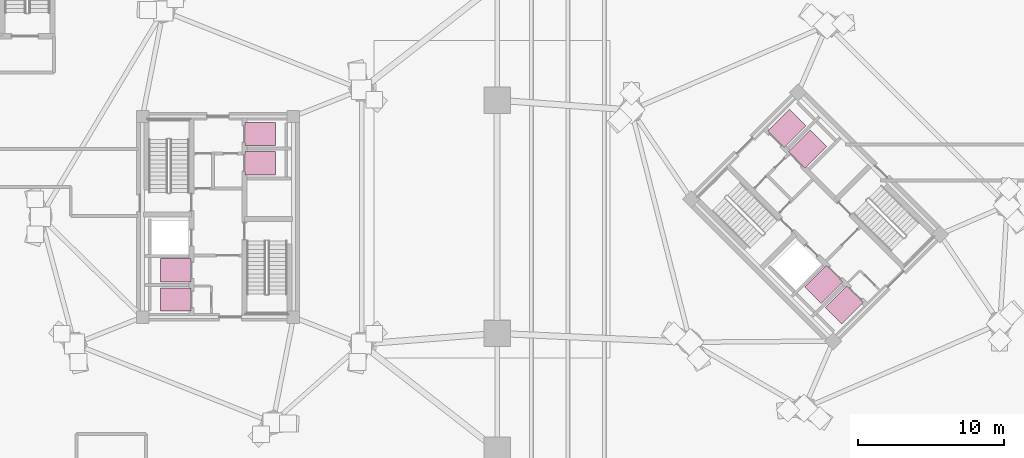
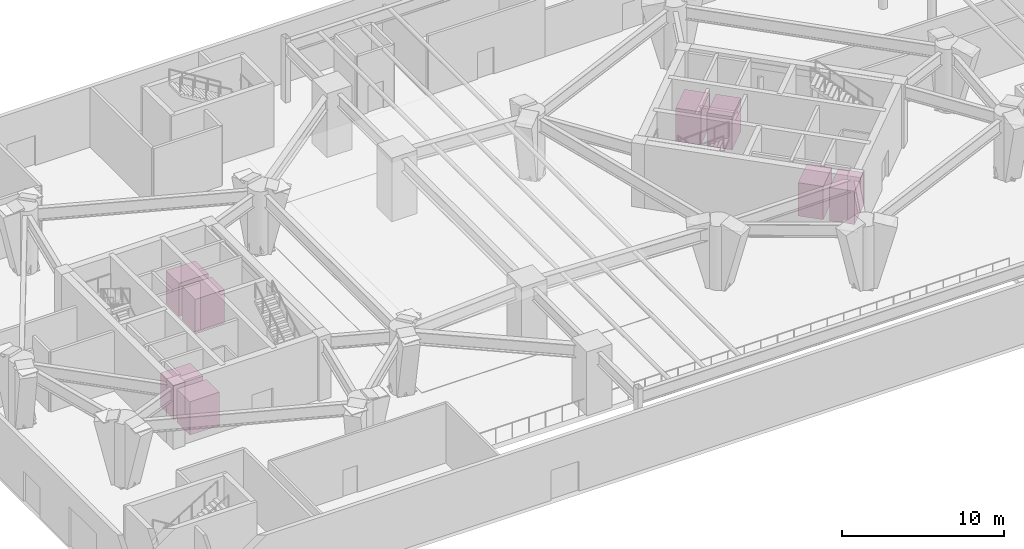
# One storey, part 17 of 17: 8 transport elements.
"""IFC4 building model written with IfcOpenShell, lengths in metres."""

from ifc_helpers import new_model, si_unit, direction, frame, origin, origin_2d, place, context, subcontext, project, spatial, rectangle, extrude, source, transform, mapped, material, type_object, element, save


model = new_model("IFC4")

# Units and contexts
model_context = context("Model", 3, precision=1e-05, world=origin(), true_north=direction((0.0, 1.0)))
body_context = subcontext(model_context, "Body", "Model", "MODEL_VIEW")
ifc_project = project(units=[si_unit("LENGTHUNIT", "METRE"), si_unit("AREAUNIT", "SQUARE_METRE"), si_unit("VOLUMEUNIT", "CUBIC_METRE"), si_unit("PLANEANGLEUNIT", "RADIAN"), si_unit("MASSUNIT", "GRAM", prefix="KILO")], contexts=[model_context])

# Site, building, storey
site_placement = place(None, origin())
site = spatial("IfcSite", under=ifc_project, at=site_placement, CompositionType="ELEMENT")
building_placement = place(site_placement, origin())
building = spatial("IfcBuilding", under=site, at=building_placement, Name="Cununo Teusaquillo Station Towers", CompositionType="ELEMENT")
storey_placement = place(building_placement, origin())
storey = spatial("IfcBuildingStorey", under=building, at=storey_placement, Name="L00", CompositionType="ELEMENT", Elevation=0.0)

# Transport elements
ifc_material = material(Name="Anodised dark bronze aluminium EN AW-6063-T6", Category="aluminium")
transport_element_type = type_object("IfcTransportElementType", Name="LIFT-PASS-1600", PredefinedType="ELEVATOR", material=ifc_material)
shared_shape = source(origin(), body_context, "Body", "SweptSolid", [
    extrude(rectangle(XDim=2.10009765625, YDim=1.60009765625, at=origin_2d()), origin(), (0.0, 0.0, 1.0), 2.5),
])
for number, where, z_axis, x_axis, name in (
    (1, (13.610107421875, 18.824951171875, 0.0), (0.0, 0.0, 1.0), (1.0, 0.0, 0.0), "Passenger Lift PL-T1-H1"),
    (2, (13.610107421875, 20.824951171875, 0.0), (0.0, 0.0, 1.0), (1.0, 0.0, 0.0), "Passenger Lift PL-T1-H2"),
    (3, (19.389892578125, 28.175048828125, 0.0), (0.0, 0.0, 1.0), (1.0, 0.0, 0.0), "Passenger Lift PL-T1-L1"),
    (4, (19.389892578125, 30.175048828125, 0.0), (0.0, 0.0, 1.0), (1.0, 0.0, 0.0), "Passenger Lift PL-T1-L2"),
    (5, (59.46923828125, 18.443603515625, 0.0), (0.0, 0.0, 1.0), (0.707106781187, 0.707106781187, 0.0), "Passenger Lift PL-T2-H1"),
    (6, (58.05517578125, 19.85791015625, 0.0), (0.0, 0.0, 1.0), (0.707106781187, 0.707106781187, 0.0), "Passenger Lift PL-T2-H2"),
    (7, (56.94482421875, 29.14208984375, 0.0), (0.0, 0.0, 1.0), (0.707106781187, 0.707106781187, 0.0), "Passenger Lift PL-T2-L1"),
    (8, (55.53076171875, 30.556396484375, 0.0), (0.0, 0.0, 1.0), (0.707106781187, 0.707106781187, 0.0), "Passenger Lift PL-T2-L2"),
):
    element("IfcTransportElement", number, at=place(storey_placement, frame(where, z_axis=z_axis, x_axis=x_axis)), inside=storey, type_object=transport_element_type, Name=name, PredefinedType="ELEVATOR", context=body_context, shape_type="MappedRepresentation", body=[
        mapped(shared_shape, transform((0.0, 0.0, 0.0), x_axis=(1.0, 0.0, 0.0), y_axis=(0.0, 1.0, 0.0), z_axis=(0.0, 0.0, 1.0), scale=1.0)),
    ])

save(model, "model.ifc")
